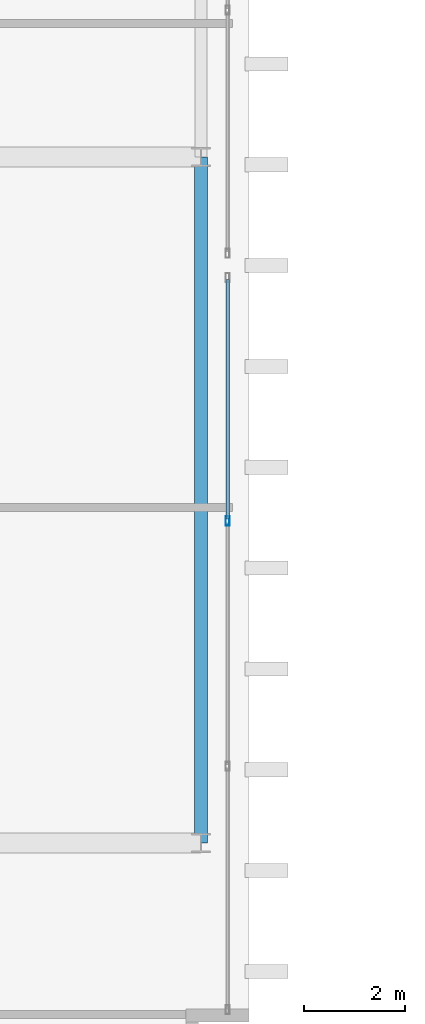
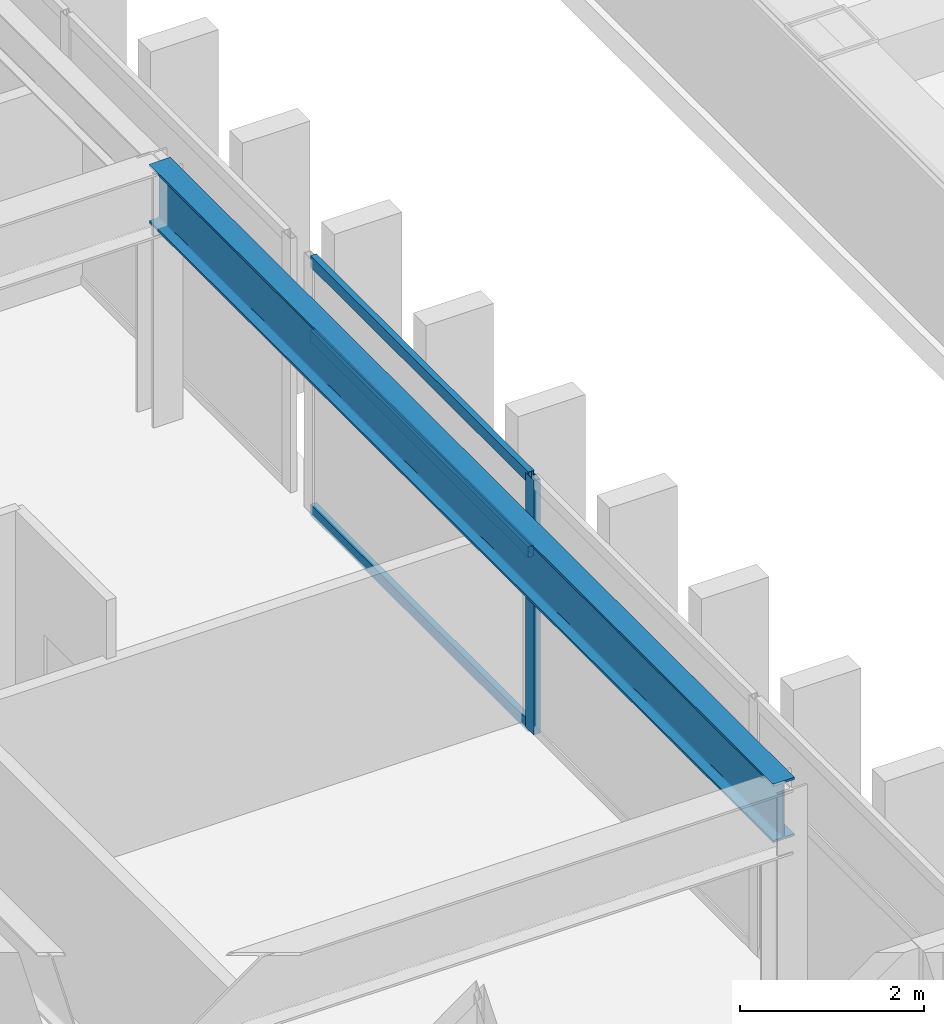
# One storey, part 6 of 17: 4 members, 1 beam, 1 element without a shape of its own.
"""IFC4 building model written with IfcOpenShell, lengths in metres."""

from ifc_helpers import new_model, si_unit, direction, frame, origin, origin_2d, place, context, subcontext, project, spatial, hollow_rectangle, i_section, extrude, source, transform, mapped, material, layer, layer_set, material_profile, profile_set, type_object, element, aggregate, save


model = new_model("IFC4")

# Units and contexts
model_context = context("Model", 3, precision=1e-05, world=origin(), true_north=direction((0.0, 1.0)))
body_context = subcontext(model_context, "Body", "Model", "MODEL_VIEW")
ifc_project = project(units=[si_unit("LENGTHUNIT", "METRE"), si_unit("AREAUNIT", "SQUARE_METRE"), si_unit("VOLUMEUNIT", "CUBIC_METRE"), si_unit("PLANEANGLEUNIT", "RADIAN"), si_unit("MASSUNIT", "GRAM", prefix="KILO")], contexts=[model_context])

# Site, building, storey
site_placement = place(None, origin())
site = spatial("IfcSite", under=ifc_project, at=site_placement, CompositionType="ELEMENT")
building_placement = place(site_placement, origin())
building = spatial("IfcBuilding", under=site, at=building_placement, Name="Ocotamira Hotel", CompositionType="ELEMENT")
storey_placement = place(building_placement, frame((0.0, 0.0, 272.39990234375)))
storey = spatial("IfcBuildingStorey", under=building, at=storey_placement, Name="L69", CompositionType="ELEMENT", Elevation=272.39990234375)

# Beam
ifc_material_1 = material(Name="Steel ASTM A992 Grade 50", Category="steel")
ifc_material_profile_1 = material_profile(ifc_material_1, i_section(OverallWidth=0.26611328125, OverallDepth=0.779052734375, WebThickness=0.0166015625, FlangeThickness=0.030029296875, FilletRadius=0.01806640625, at=origin_2d()), Name="W30X148")
ifc_profile_set_1 = profile_set([ifc_material_profile_1], Name="Steel ASTM A992 Grade 50")
beam_type = type_object("IfcBeamType", Name="BM-GIRD-W30X148", PredefinedType="BEAM", material=ifc_profile_set_1)
shared_shape_1 = source(origin(), body_context, "Body", "SweptSolid", [
    extrude(i_section(OverallWidth=0.26611328125, OverallDepth=0.779052734375, WebThickness=0.0166015625, FlangeThickness=0.030029296875, FilletRadius=0.01806640625, at=origin_2d()), origin(), (0.0, 0.0, 1.0), 13.599853515625),
])
beam_placement = place(storey_placement, frame((32.050048828125, 14.550048828125, 2.990478515625), z_axis=(0.0, 1.0, 0.0), x_axis=(-1.0, 0.0, 0.0)))
element("IfcBeam", 1, at=beam_placement, inside=storey, type_object=beam_type, Name="L69 Beam X32.05 Y14.55-28.15", PredefinedType="BEAM", context=body_context, shape_type="MappedRepresentation", body=[
    mapped(shared_shape_1, transform((0.0, 0.0, 0.0), scale=1.0)),
])

# Curtain wall, members
ifc_material_2 = material(Name="Anodised pale-metal aluminium and solar glass", Category="aluminium")
ifc_layer = layer(ifc_material_2, 0.2099609375)
ifc_layer_set = layer_set([ifc_layer], Name="Anodised pale-metal aluminium and solar glass")
curtain_wall_type = type_object("IfcCurtainWallType", Name="CW-SYS7-PEAK", PredefinedType="NOTDEFINED", material=ifc_layer_set)
curtain_wall_placement = place(storey_placement, origin())
curtain_wall = element("IfcCurtainWall", 2, at=curtain_wall_placement, inside=storey, type_object=curtain_wall_type, Name="L69 Curtain Wall CW-7 CW-L69-E1", PredefinedType="NOTDEFINED")
ifc_material_3 = material(Name="Anodised pale-metal aluminium 6063-T6", Category="aluminium")
ifc_material_profile_2 = material_profile(ifc_material_3, hollow_rectangle(XDim=0.080078125, YDim=0.179931640625, WallThickness=0.006103515625, at=origin_2d()), Name="HSS180X80X6")
ifc_profile_set_2 = profile_set([ifc_material_profile_2], Name="Anodised pale-metal aluminium 6063-T6")
member_type_1 = type_object("IfcMemberType", Name="CWM-180X75", PredefinedType="MULLION", material=ifc_profile_set_2)
shared_shape_2 = source(origin(), body_context, "Body", "SweptSolid", [
    extrude(hollow_rectangle(XDim=0.080078125, YDim=0.179931640625, WallThickness=0.006103515625, at=origin_2d()), origin(), (0.0, 0.0, 1.0), 3.380126953125),
])
member_1_placement = place(storey_placement, frame((32.580078125, 20.933349609375, 0.0), z_axis=(0.0, 0.0, 1.0), x_axis=(-1.0, 0.0, 0.0)))
member_1 = element("IfcMember", 3, at=member_1_placement, type_object=member_type_1, Name="CW-7 mullion 3", PredefinedType="MULLION", context=body_context, shape_type="MappedRepresentation", body=[
    mapped(shared_shape_2, transform((0.0, 0.0, 0.0), scale=1.0)),
])
ifc_material_profile_3 = material_profile(ifc_material_3, hollow_rectangle(XDim=0.074951171875, YDim=0.14990234375, WallThickness=0.006103515625, at=origin_2d()), Name="HSS150X75X6")
ifc_profile_set_3 = profile_set([ifc_material_profile_3], Name="Anodised pale-metal aluminium 6063-T6")
member_type_2 = type_object("IfcMemberType", Name="CWT-150X75", PredefinedType="USERDEFINED", material=ifc_profile_set_3)
shared_shape_3 = source(origin(), body_context, "Body", "SweptSolid", [
    extrude(hollow_rectangle(XDim=0.074951171875, YDim=0.14990234375, WallThickness=0.006103515625, at=origin_2d()), origin(), (0.0, 0.0, 1.0), 4.74658203125),
])
member_2_placement = place(storey_placement, frame((32.580078125, 20.973388671875, 0.03759765625), z_axis=(0.0, 1.0, 0.0), x_axis=(-1.0, 0.0, 0.0)))
member_2 = element("IfcMember", 4, at=member_2_placement, type_object=member_type_2, Name="CW-7 transom 3.1", ObjectType="TRANSOM", PredefinedType="USERDEFINED", context=body_context, shape_type="MappedRepresentation", body=[
    mapped(shared_shape_3, transform((0.0, 0.0, 0.0), scale=1.0)),
])
member_3_placement = place(storey_placement, frame((32.580078125, 20.973388671875, 2.35009765625), z_axis=(0.0, 1.0, 0.0), x_axis=(-1.0, 0.0, 0.0)))
member_3 = element("IfcMember", 5, at=member_3_placement, type_object=member_type_2, Name="CW-7 transom 3.2", ObjectType="TRANSOM", PredefinedType="USERDEFINED", context=body_context, shape_type="MappedRepresentation", body=[
    mapped(shared_shape_3, transform((0.0, 0.0, 0.0), scale=1.0)),
])
member_4_placement = place(storey_placement, frame((32.580078125, 20.973388671875, 3.342529296875), z_axis=(0.0, 1.0, 0.0), x_axis=(-1.0, 0.0, 0.0)))
member_4 = element("IfcMember", 6, at=member_4_placement, type_object=member_type_2, Name="CW-7 transom 3.3", ObjectType="TRANSOM", PredefinedType="USERDEFINED", context=body_context, shape_type="MappedRepresentation", body=[
    mapped(shared_shape_3, transform((0.0, 0.0, 0.0), scale=1.0)),
])
aggregate(curtain_wall, [member_1, member_2, member_3, member_4])

save(model, "model.ifc")
